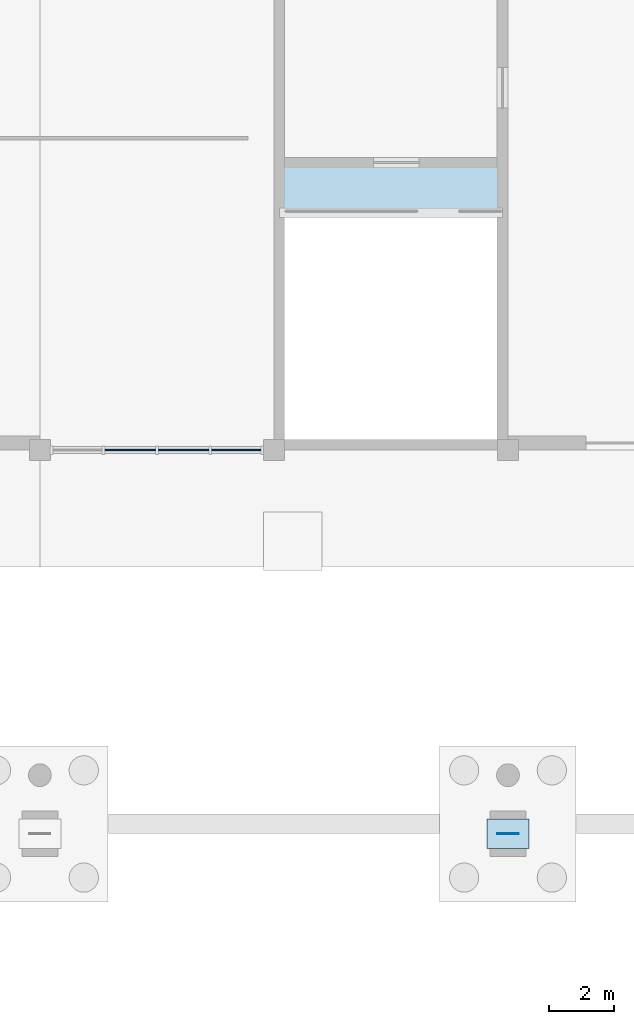
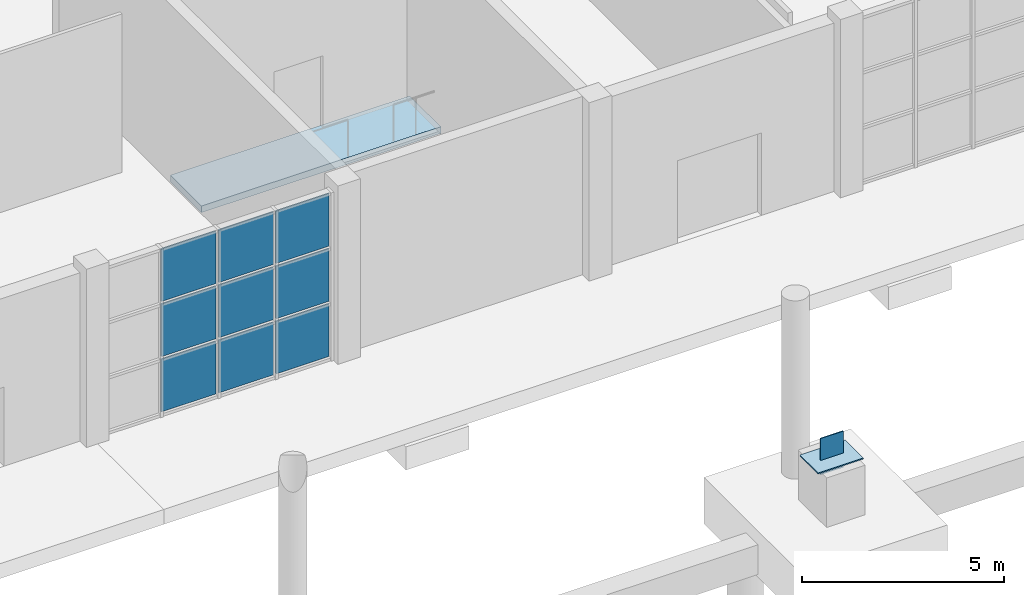
# One storey, part 38 of 75: 11 plates, 1 slab, 1 element without a shape of its own.
"""IFC4 building model written with IfcOpenShell, lengths in metres."""

from ifc_helpers import new_model, si_unit, direction, frame, origin, origin_2d, place, context, subcontext, project, spatial, polyline, rectangle, outline, extrude, material, layer, layer_set, type_object, element, aggregate, save


model = new_model("IFC4")

# Units and contexts
model_context = context("Model", 3, precision=1e-05, world=origin(), true_north=direction((0.0, 1.0)))
body_context = subcontext(model_context, "Body", "Model", "MODEL_VIEW")
ifc_project = project(units=[si_unit("LENGTHUNIT", "METRE"), si_unit("AREAUNIT", "SQUARE_METRE"), si_unit("VOLUMEUNIT", "CUBIC_METRE"), si_unit("PLANEANGLEUNIT", "RADIAN"), si_unit("MASSUNIT", "GRAM", prefix="KILO")], contexts=[model_context])

# Site, building, storey
site_placement = place(None, origin())
site = spatial("IfcSite", under=ifc_project, at=site_placement, CompositionType="ELEMENT")
building_placement = place(site_placement, origin())
building = spatial("IfcBuilding", under=site, at=building_placement, Name="Leyfeld Transit Interchange", CompositionType="ELEMENT")
storey_placement = place(building_placement, origin())
storey = spatial("IfcBuildingStorey", under=building, at=storey_placement, Name="L00", CompositionType="ELEMENT", Elevation=0.0)

# Curtain wall, plates
ifc_material_1 = material(Name="Anodised aluminium EN AW-6060 T66", Category="aluminium")
curtain_wall_type = type_object("IfcCurtainWallType", Name="CW-SYS-ARC-7200", PredefinedType="NOTDEFINED", material=ifc_material_1)
curtain_wall_placement = place(storey_placement, origin())
curtain_wall = element("IfcCurtainWall", 1, at=curtain_wall_placement, inside=storey, type_object=curtain_wall_type, Name="Curtain Wall CW-L00-036", PredefinedType="NOTDEFINED")
ifc_material_2 = material(Name="Triple low-E insulated glazing", Category="glass")
ifc_layer_1 = layer(ifc_material_2, 0.0439453125, Name="Triple low-E insulated glazing")
ifc_layer_set_1 = layer_set([ifc_layer_1], Name="Triple low-E insulated glazing")
plate_type_1 = type_object("IfcPlateType", Name="CW-PNL-GLZ-44", PredefinedType="CURTAIN_PANEL", material=ifc_layer_set_1)
plate_1_placement = place(storey_placement, frame((49.242431640625, 14.39990234375, 0.08349609375), z_axis=(0.0, 0.0, 1.0), x_axis=(-1.0, 0.0, 0.0)))
plate_1 = element("IfcPlate", 2, at=plate_1_placement, type_object=plate_type_1, Name="Glazed Curtain Panel CW-L00-036-P01_1", PredefinedType="CURTAIN_PANEL", context=body_context, shape_type="SweptSolid", body=[
    extrude(rectangle(XDim=1.51806640625, YDim=0.0439453125, at=origin_2d()), origin(), (0.0, 0.0, 1.0), 1.589599609375),
])
plate_2_placement = place(storey_placement, frame((49.242431640625, 14.39990234375, 1.75537109375), z_axis=(0.0, 0.0, 1.0), x_axis=(-1.0, 0.0, 0.0)))
plate_2 = element("IfcPlate", 3, at=plate_2_placement, type_object=plate_type_1, Name="Glazed Curtain Panel CW-L00-036-P01_2", PredefinedType="CURTAIN_PANEL", context=body_context, shape_type="SweptSolid", body=[
    extrude(rectangle(XDim=1.51806640625, YDim=0.0439453125, at=origin_2d()), origin(), (0.0, 0.0, 1.0), 1.589599609375),
])
plate_3_placement = place(storey_placement, frame((49.242431640625, 14.39990234375, 3.4267578125), z_axis=(0.0, 0.0, 1.0), x_axis=(-1.0, 0.0, 0.0)))
plate_3 = element("IfcPlate", 4, at=plate_3_placement, type_object=plate_type_1, Name="Glazed Curtain Panel CW-L00-036-P01_3", PredefinedType="CURTAIN_PANEL", context=body_context, shape_type="SweptSolid", body=[
    extrude(rectangle(XDim=1.51806640625, YDim=0.0439453125, at=origin_2d()), origin(), (0.0, 0.0, 1.0), 1.589599609375),
])
plate_4_placement = place(storey_placement, frame((47.621337890625, 14.39990234375, 0.08349609375), z_axis=(0.0, 0.0, 1.0), x_axis=(-1.0, 0.0, 0.0)))
plate_4 = element("IfcPlate", 5, at=plate_4_placement, type_object=plate_type_1, Name="Glazed Curtain Panel CW-L00-036-P02_1", PredefinedType="CURTAIN_PANEL", context=body_context, shape_type="SweptSolid", body=[
    extrude(rectangle(XDim=1.560546875, YDim=0.0439453125, at=origin_2d()), origin(), (0.0, 0.0, 1.0), 1.589599609375),
])
plate_5_placement = place(storey_placement, frame((47.621337890625, 14.39990234375, 1.75537109375), z_axis=(0.0, 0.0, 1.0), x_axis=(-1.0, 0.0, 0.0)))
plate_5 = element("IfcPlate", 6, at=plate_5_placement, type_object=plate_type_1, Name="Glazed Curtain Panel CW-L00-036-P02_2", PredefinedType="CURTAIN_PANEL", context=body_context, shape_type="SweptSolid", body=[
    extrude(rectangle(XDim=1.560546875, YDim=0.0439453125, at=origin_2d()), origin(), (0.0, 0.0, 1.0), 1.589599609375),
])
plate_6_placement = place(storey_placement, frame((47.621337890625, 14.39990234375, 3.4267578125), z_axis=(0.0, 0.0, 1.0), x_axis=(-1.0, 0.0, 0.0)))
plate_6 = element("IfcPlate", 7, at=plate_6_placement, type_object=plate_type_1, Name="Glazed Curtain Panel CW-L00-036-P02_3", PredefinedType="CURTAIN_PANEL", context=body_context, shape_type="SweptSolid", body=[
    extrude(rectangle(XDim=1.560546875, YDim=0.0439453125, at=origin_2d()), origin(), (0.0, 0.0, 1.0), 1.589599609375),
])
plate_7_placement = place(storey_placement, frame((45.978759765625, 14.39990234375, 0.08349609375), z_axis=(0.0, 0.0, 1.0), x_axis=(-1.0, 0.0, 0.0)))
plate_7 = element("IfcPlate", 8, at=plate_7_placement, type_object=plate_type_1, Name="Glazed Curtain Panel CW-L00-036-P03_1", PredefinedType="CURTAIN_PANEL", context=body_context, shape_type="SweptSolid", body=[
    extrude(rectangle(XDim=1.560546875, YDim=0.0439453125, at=origin_2d()), origin(), (0.0, 0.0, 1.0), 1.589599609375),
])
plate_8_placement = place(storey_placement, frame((45.978759765625, 14.39990234375, 1.75537109375), z_axis=(0.0, 0.0, 1.0), x_axis=(-1.0, 0.0, 0.0)))
plate_8 = element("IfcPlate", 9, at=plate_8_placement, type_object=plate_type_1, Name="Glazed Curtain Panel CW-L00-036-P03_2", PredefinedType="CURTAIN_PANEL", context=body_context, shape_type="SweptSolid", body=[
    extrude(rectangle(XDim=1.560546875, YDim=0.0439453125, at=origin_2d()), origin(), (0.0, 0.0, 1.0), 1.589599609375),
])
plate_9_placement = place(storey_placement, frame((45.978759765625, 14.39990234375, 3.4267578125), z_axis=(0.0, 0.0, 1.0), x_axis=(-1.0, 0.0, 0.0)))
plate_9 = element("IfcPlate", 10, at=plate_9_placement, type_object=plate_type_1, Name="Glazed Curtain Panel CW-L00-036-P03_3", PredefinedType="CURTAIN_PANEL", context=body_context, shape_type="SweptSolid", body=[
    extrude(rectangle(XDim=1.560546875, YDim=0.0439453125, at=origin_2d()), origin(), (0.0, 0.0, 1.0), 1.589599609375),
])
aggregate(curtain_wall, [plate_1, plate_2, plate_3, plate_4, plate_5, plate_6, plate_7, plate_8, plate_9])

# Plates
ifc_material_3 = material(Name="Steel S355J2", Category="steel")
ifc_layer_2 = layer(ifc_material_3, 0.035888671875, Name="Steel S355J2")
ifc_layer_set_2 = layer_set([ifc_layer_2], Name="Steel S355J2")
plate_type_2 = type_object("IfcPlateType", Name="PLT-BASE-36", PredefinedType="USERDEFINED", material=ifc_layer_set_2)
plate_10_placement = place(storey_placement, frame((57.60009765625, 2.60009765625, 1.5), z_axis=(0.0, 0.0, 1.0), x_axis=(1.0, 0.0, 0.0)))
element("IfcPlate", 11, at=plate_10_placement, inside=storey, type_object=plate_type_2, Name="Arch Baseplate AR-04 1", ObjectType="BASE_PLATE", PredefinedType="USERDEFINED", context=body_context, shape_type="SweptSolid", body=[
    extrude(rectangle(XDim=1.300048828125, YDim=0.89990234375, at=origin_2d()), origin(), (0.0, 0.0, 1.0), 0.035888671875),
])
ifc_material_4 = material(Name="Steel S355J2 - Ochre Arch", Category="steel")
ifc_layer_3 = layer(ifc_material_4, 0.030029296875, Name="Steel S355J2 - Ochre Arch")
ifc_layer_set_3 = layer_set([ifc_layer_3], Name="Steel S355J2 - Ochre Arch")
plate_type_3 = type_object("IfcPlateType", Name="PLT-CAP-30", PredefinedType="USERDEFINED", material=ifc_layer_set_3)
plate_11_placement = place(storey_placement, frame((57.60009765625, 2.60009765625, 1.099853515625), z_axis=(0.0, 0.0, 1.0), x_axis=(1.0, 0.0, 0.0)))
element("IfcPlate", 12, at=plate_11_placement, inside=storey, type_object=plate_type_3, Name="Arch End Cap Plate AR-04 1", ObjectType="FLANGE_PLATE", PredefinedType="USERDEFINED", context=body_context, shape_type="SweptSolid", body=[
    extrude(rectangle(XDim=0.64990234375, YDim=0.030029296875, at=origin_2d()), origin(), (0.0, 0.0, 1.0), 1.10009765625),
])

# Slab
ifc_material_5 = material(Name="Precast concrete C40/50", Category="concrete")
ifc_layer_4 = layer(ifc_material_5, 0.199951171875, Name="Precast concrete C40/50")
ifc_layer_set_4 = layer_set([ifc_layer_4], Name="Precast concrete C40/50")
slab_type = type_object("IfcSlabType", Name="SLB-LND-200", PredefinedType="LANDING", material=ifc_layer_set_4)
slab_placement = place(storey_placement, frame((0.0, 0.0, -0.199951171875)))
element("IfcSlab", 13, at=slab_placement, inside=storey, type_object=slab_type, Name="Core K8 Stair Floor Landing L00", PredefinedType="LANDING", context=body_context, shape_type="SweptSolid", body=[
    extrude(outline(polyline([(50.570068359375, 21.699951171875), (57.429931640625, 21.699951171875), (57.429931640625, 23.2451171875), (50.570068359375, 23.2451171875), (50.570068359375, 21.699951171875)])), origin(), (0.0, 0.0, 1.0), 0.199951171875),
])

save(model, "model.ifc")
